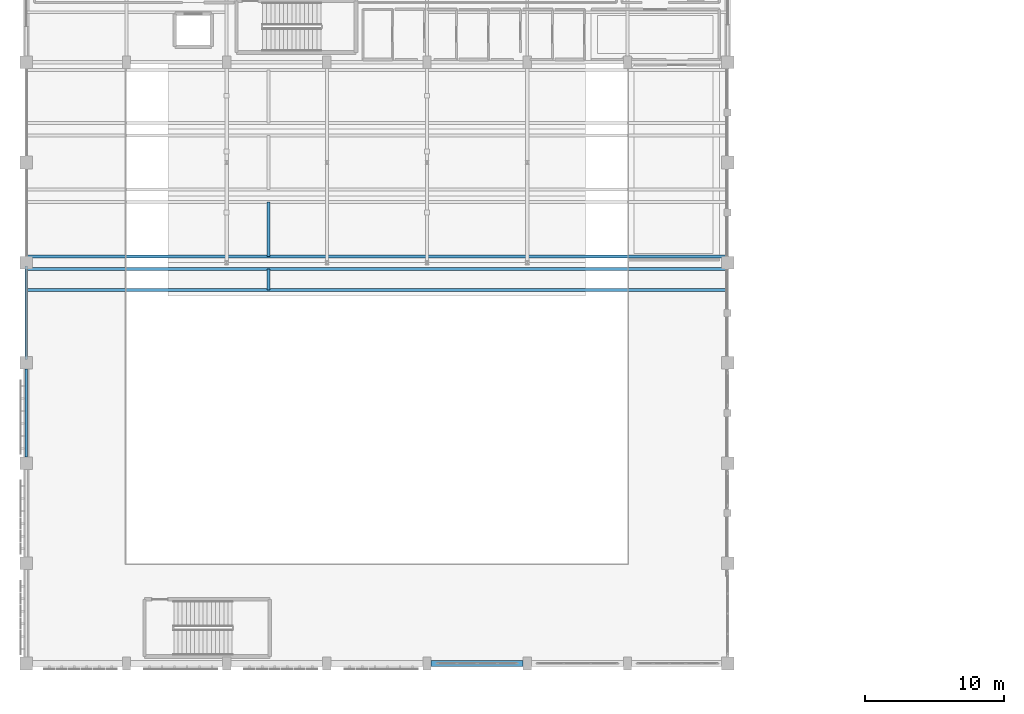
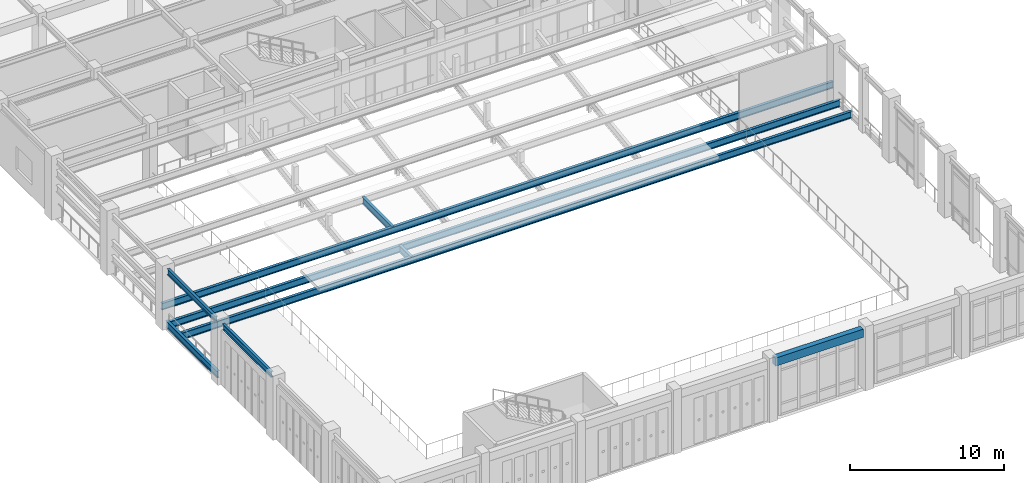
# One storey, part 15 of 117: 9 beams.
"""IFC4 building model written with IfcOpenShell, lengths in metres."""

from ifc_helpers import new_model, si_unit, direction, frame, origin, origin_2d, place, context, subcontext, project, spatial, rectangle, i_section, extrude, material, material_profile, profile_set, type_object, element, save


model = new_model("IFC4")

# Units and contexts
model_context = context("Model", 3, precision=1e-05, world=origin(), true_north=direction((0.0, 1.0)))
body_context = subcontext(model_context, "Body", "Model", "MODEL_VIEW")
ifc_project = project(units=[si_unit("LENGTHUNIT", "METRE"), si_unit("AREAUNIT", "SQUARE_METRE"), si_unit("VOLUMEUNIT", "CUBIC_METRE"), si_unit("PLANEANGLEUNIT", "RADIAN"), si_unit("MASSUNIT", "GRAM", prefix="KILO")], contexts=[model_context])

# Site, building, storey
site_placement = place(None, origin())
site = spatial("IfcSite", under=ifc_project, at=site_placement, CompositionType="ELEMENT")
building_placement = place(site_placement, origin())
building = spatial("IfcBuilding", under=site, at=building_placement, Name="Carrowvane Square Congress Hotel", CompositionType="ELEMENT")
storey_placement = place(building_placement, frame((0.0, 0.0, 5.39990234375)))
storey = spatial("IfcBuildingStorey", under=building, at=storey_placement, Name="L01", CompositionType="ELEMENT", Elevation=5.39990234375)

# Beams
ifc_material_1 = material(Name="Steel S355", Category="steel")
ifc_material_profile_1 = material_profile(ifc_material_1, i_section(OverallWidth=0.19140625, OverallDepth=0.4599609375, WebThickness=0.010009765625, FlangeThickness=0.01611328125, FilletRadius=0.01025390625, at=origin_2d()), Name="UKB 457x191x82")
ifc_profile_set_1 = profile_set([ifc_material_profile_1], Name="Steel S355")
beam_type_1 = type_object("IfcBeamType", Name="BM-ST-UKB457", PredefinedType="SPANDREL", material=ifc_profile_set_1)
for number, where, z_axis, x_axis, name in (
    (1, (11.60009765625, 20.25, 4.550048828125), (0.0, 1.0, 0.0), (-1.0, 0.0, 0.0), "L02 girder 1/C-D"),
    (2, (11.60009765625, 27.449951171875, 4.550048828125), (0.0, 1.0, 0.0), (-1.0, 0.0, 0.0), "L02 girder 1/D-E"),
):
    element("IfcBeam", number, at=place(storey_placement, frame(where, z_axis=z_axis, x_axis=x_axis)), inside=storey, type_object=beam_type_1, Name=name, PredefinedType="SPANDREL", context=body_context, shape_type="SweptSolid", body=[
        extrude(i_section(OverallWidth=0.19140625, OverallDepth=0.4599609375, WebThickness=0.010009765625, FlangeThickness=0.01611328125, FilletRadius=0.01025390625, at=origin_2d()), origin(), (0.0, 0.0, 1.0), 6.300048828125),
    ])
ifc_material_2 = material(Name="Steel S355", Category="steel")
ifc_material_profile_2 = material_profile(ifc_material_2, i_section(OverallWidth=0.2099609375, OverallDepth=0.53662109375, WebThickness=0.0107421875, FlangeThickness=0.017333984375, FilletRadius=0.0126953125, at=origin_2d()), Name="UKB 533x210x101")
ifc_profile_set_2 = profile_set([ifc_material_profile_2], Name="Steel S355")
beam_type_2 = type_object("IfcBeamType", Name="BM-ST-UKB533", PredefinedType="USERDEFINED", material=ifc_profile_set_2)
beam_1_placement = place(storey_placement, frame((11.60009765625, 34.64990234375, 1.231689453125), z_axis=(1.0, 0.0, 0.0), x_axis=(0.0, 1.0, 0.0)))
element("IfcBeam", 3, at=beam_1_placement, inside=storey, type_object=beam_type_2, Name="L01 circle tier 1 bearer girder 1", ObjectType="GIRDER", PredefinedType="USERDEFINED", context=body_context, shape_type="SweptSolid", body=[
    extrude(i_section(OverallWidth=0.2099609375, OverallDepth=0.53662109375, WebThickness=0.0107421875, FlangeThickness=0.017333984375, FilletRadius=0.0126953125, at=origin_2d()), origin(), (0.0, 0.0, 1.0), 50.39990234375),
])
beam_2_placement = place(storey_placement, frame((29.0, 34.64990234375, 1.231689453125), z_axis=(0.0, 1.0, 0.0), x_axis=(-1.0, 0.0, 0.0)))
element("IfcBeam", 4, at=beam_2_placement, inside=storey, type_object=beam_type_2, Name="L01 circle tier 1 cross beam", ObjectType="GIRDER", PredefinedType="USERDEFINED", context=body_context, shape_type="SweptSolid", body=[
    extrude(i_section(OverallWidth=0.2099609375, OverallDepth=0.53662109375, WebThickness=0.0107421875, FlangeThickness=0.017333984375, FilletRadius=0.0126953125, at=origin_2d()), origin(), (0.0, 0.0, 1.0), 3.900146484375),
])
beam_3_placement = place(storey_placement, frame((11.60009765625, 27.25, 0.3017578125), z_axis=(0.0, 1.0, 0.0), x_axis=(-1.0, 0.0, 0.0)))
element("IfcBeam", 5, at=beam_3_placement, inside=storey, type_object=beam_type_2, Name="L01 circle tier 4 W header girder", ObjectType="GIRDER", PredefinedType="USERDEFINED", context=body_context, shape_type="SweptSolid", body=[
    extrude(i_section(OverallWidth=0.2099609375, OverallDepth=0.53662109375, WebThickness=0.0107421875, FlangeThickness=0.017333984375, FilletRadius=0.0126953125, at=origin_2d()), origin(), (0.0, 0.0, 1.0), 6.699951171875),
])
for number, where, z_axis, x_axis, name in (
    (6, (11.60009765625, 32.25, 0.3017578125), (1.0, 0.0, 0.0), (0.0, 1.0, 0.0), "L01 circle tier 4 bearer girder 1"),
    (7, (11.60009765625, 33.75, 0.3017578125), (1.0, 0.0, 0.0), (0.0, 1.0, 0.0), "L01 circle tier 4 bearer girder 2"),
):
    element("IfcBeam", number, at=place(storey_placement, frame(where, z_axis=z_axis, x_axis=x_axis)), inside=storey, type_object=beam_type_2, Name=name, ObjectType="GIRDER", PredefinedType="USERDEFINED", context=body_context, shape_type="SweptSolid", body=[
        extrude(i_section(OverallWidth=0.2099609375, OverallDepth=0.53662109375, WebThickness=0.0107421875, FlangeThickness=0.017333984375, FilletRadius=0.0126953125, at=origin_2d()), origin(), (0.0, 0.0, 1.0), 50.39990234375),
    ])
beam_4_placement = place(storey_placement, frame((29.0, 32.25, 0.3017578125), z_axis=(0.0, 1.0, 0.0), x_axis=(-1.0, 0.0, 0.0)))
element("IfcBeam", 8, at=beam_4_placement, inside=storey, type_object=beam_type_2, Name="L01 circle tier 4 cross beam", ObjectType="GIRDER", PredefinedType="USERDEFINED", context=body_context, shape_type="SweptSolid", body=[
    extrude(i_section(OverallWidth=0.2099609375, OverallDepth=0.53662109375, WebThickness=0.0107421875, FlangeThickness=0.017333984375, FilletRadius=0.0126953125, at=origin_2d()), origin(), (0.0, 0.0, 1.0), 1.5),
])
ifc_material_3 = material(Name="Concrete C35/45", Category="concrete")
ifc_material_profile_3 = material_profile(ifc_material_3, rectangle(XDim=0.39990234375, YDim=0.64990234375, at=origin_2d()), Name="RC 400x650")
ifc_profile_set_3 = profile_set([ifc_material_profile_3], Name="Concrete C35/45")
beam_type_3 = type_object("IfcBeamType", Name="SP-RC-400x650", PredefinedType="SPANDREL", material=ifc_profile_set_3)
beam_5_placement = place(storey_placement, frame((40.699951171875, 5.39990234375, 4.455078125), z_axis=(1.0, 0.0, 0.0), x_axis=(0.0, 1.0, 0.0)))
element("IfcBeam", 9, at=beam_5_placement, inside=storey, type_object=beam_type_3, Name="L02 girder A/5-6", PredefinedType="SPANDREL", context=body_context, shape_type="SweptSolid", body=[
    extrude(rectangle(XDim=0.39990234375, YDim=0.64990234375, at=origin_2d()), origin(), (0.0, 0.0, 1.0), 6.60009765625),
])

save(model, "model.ifc")
